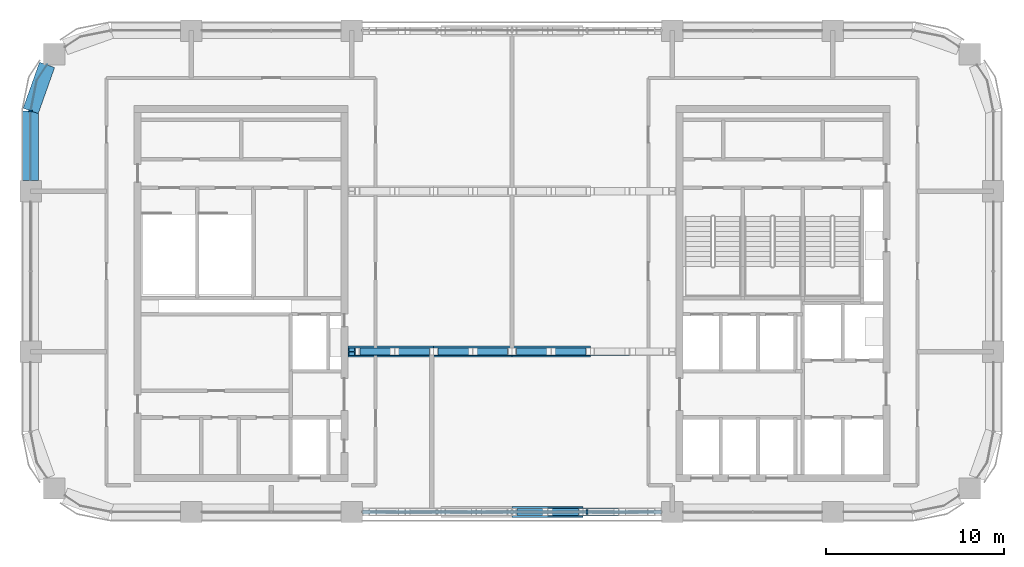
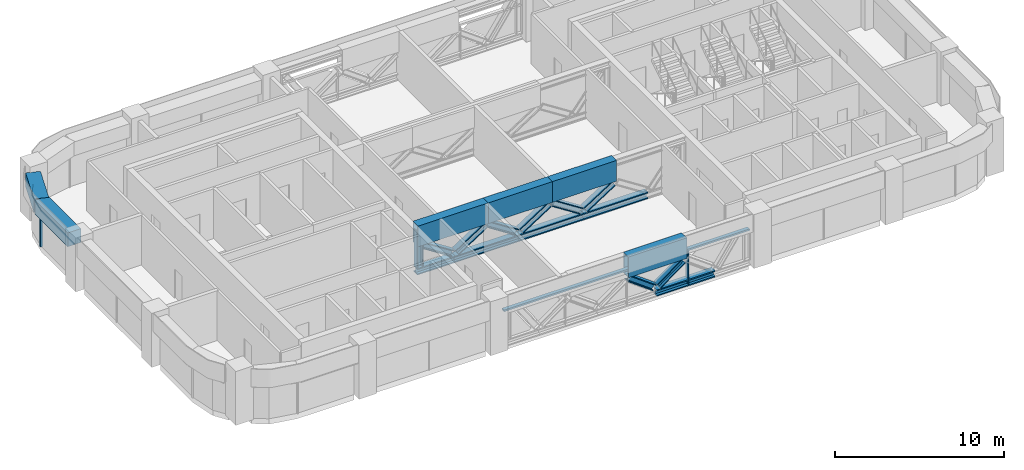
# One storey, part 3 of 12: 22 members, 2 beams, 2 elements without a shape of their own.
"""IFC4 building model written with IfcOpenShell, lengths in metres."""

from ifc_helpers import new_model, si_unit, direction, frame, origin, origin_2d, place, context, subcontext, project, spatial, polyline, rectangle, hollow_rectangle, i_section, outline, extrude, material, material_profile, profile_set, type_object, element, aggregate, save


model = new_model("IFC4")

# Units and contexts
model_context = context("Model", 3, precision=1e-05, world=origin(), true_north=direction((0.0, 1.0)))
body_context = subcontext(model_context, "Body", "Model", "MODEL_VIEW")
ifc_project = project(units=[si_unit("LENGTHUNIT", "METRE"), si_unit("AREAUNIT", "SQUARE_METRE"), si_unit("VOLUMEUNIT", "CUBIC_METRE"), si_unit("PLANEANGLEUNIT", "RADIAN"), si_unit("MASSUNIT", "GRAM", prefix="KILO")], contexts=[model_context])

# Site, building, storey
site_placement = place(None, origin())
site = spatial("IfcSite", under=ifc_project, at=site_placement, CompositionType="ELEMENT")
building_placement = place(site_placement, origin())
building = spatial("IfcBuilding", under=site, at=building_placement, Name="Tessera Arch", CompositionType="ELEMENT")
storey_placement = place(building_placement, frame((0.0, 0.0, 230.60009765625)))
storey = spatial("IfcBuildingStorey", under=building, at=storey_placement, Name="L55", CompositionType="ELEMENT", Elevation=230.60009765625)

# Members
ifc_material_1 = material(Name="Steel A572 Gr50", Category="steel")
ifc_material_profile_1 = material_profile(ifc_material_1, hollow_rectangle(XDim=0.60009765625, YDim=1.5, WallThickness=0.06005859375, at=origin_2d()), Name="BOX 600x1500x60")
ifc_profile_set_1 = profile_set([ifc_material_profile_1], Name="Steel A572 Gr50")
member_type_1 = type_object("IfcMemberType", Name="Bridge truss node girder BOX 600x1500x60", PredefinedType="CHORD", material=ifc_profile_set_1)
member_1_placement = place(storey_placement, frame((27.0, 27.0, 2.849853515625), z_axis=(1.0, 0.0, 0.0), x_axis=(0.0, 1.0, 0.0)))
element("IfcMember", 1, at=member_1_placement, inside=storey, type_object=member_type_1, Name="Bridge truss node girder 3", PredefinedType="CHORD", context=body_context, shape_type="SweptSolid", body=[
    extrude(hollow_rectangle(XDim=0.60009765625, YDim=1.5, WallThickness=0.06005859375, at=origin_2d()), origin(), (0.0, 0.0, 1.0), 3.99169921875),
])
member_2_placement = place(storey_placement, frame((17.800048828125, 36.0, 2.849853515625), z_axis=(1.0, 0.0, 0.0), x_axis=(0.0, 1.0, 0.0)))
element("IfcMember", 2, at=member_2_placement, inside=storey, type_object=member_type_1, Name="Bridge truss node girder 1", PredefinedType="CHORD", context=body_context, shape_type="SweptSolid", body=[
    extrude(hollow_rectangle(XDim=0.60009765625, YDim=1.5, WallThickness=0.06005859375, at=origin_2d()), origin(), (0.0, 0.0, 1.0), 4.808349609375),
])
for number, where, z_axis, x_axis, name in (
    (3, (22.6083984375, 36.0, 2.849853515625), (1.0, 0.0, 0.0), (0.0, 1.0, 0.0), "Bridge truss node girder 2"),
    (4, (27.0, 36.0, 2.849853515625), (1.0, 0.0, 0.0), (0.0, 1.0, 0.0), "Bridge truss node girder 3"),
):
    element("IfcMember", number, at=place(storey_placement, frame(where, z_axis=z_axis, x_axis=x_axis)), inside=storey, type_object=member_type_1, Name=name, PredefinedType="CHORD", context=body_context, shape_type="SweptSolid", body=[
        extrude(hollow_rectangle(XDim=0.60009765625, YDim=1.5, WallThickness=0.06005859375, at=origin_2d()), origin(), (0.0, 0.0, 1.0), 4.3916015625),
    ])

# Curtain wall, members
ifc_material_2 = material(Name="CW2 curtain wall")
curtain_wall_type_1 = type_object("IfcCurtainWallType", Name="CW2 curtain wall", PredefinedType="NOTDEFINED", material=ifc_material_2)
curtain_wall_1_placement = place(storey_placement, origin())
curtain_wall_1 = element("IfcCurtainWall", 5, at=curtain_wall_1_placement, inside=storey, type_object=curtain_wall_type_1, Name="CW2 curtain wall W0.27/0 L55", PredefinedType="NOTDEFINED")
ifc_material_3 = material(Name="Anodised aluminium pale metal", Category="aluminium")
ifc_material_profile_2 = material_profile(ifc_material_3, rectangle(XDim=0.199951171875, YDim=0.080078125, at=origin_2d()), Name="AL 80x200")
ifc_profile_set_2 = profile_set([ifc_material_profile_2], Name="Anodised aluminium pale metal")
member_type_2 = type_object("IfcMemberType", Name="CW2 mullion", PredefinedType="MULLION", material=ifc_profile_set_2)
member_3_placement = place(storey_placement, frame((0.0, 49.5, 0.0), z_axis=(0.0, 0.0, 1.0), x_axis=(1.0, 0.0, 0.0)))
member_3 = element("IfcMember", 6, at=member_3_placement, type_object=member_type_2, Name="CW2 mullion W0.27/0 1", PredefinedType="MULLION", context=body_context, shape_type="SweptSolid", body=[
    extrude(rectangle(XDim=0.199951171875, YDim=0.080078125, at=origin_2d()), origin(), (0.0, 0.0, 1.0), 2.5),
])
ifc_material_4 = material(Name="Anodised aluminium pale metal", Category="aluminium")
ifc_material_profile_3 = material_profile(ifc_material_4, rectangle(XDim=0.199951171875, YDim=0.10009765625, at=origin_2d()), Name="AL 200x100")
ifc_profile_set_3 = profile_set([ifc_material_profile_3], Name="Anodised aluminium pale metal")
member_type_3 = type_object("IfcMemberType", Name="CW2 transom", PredefinedType="USERDEFINED", material=ifc_profile_set_3)
member_4_placement = place(storey_placement, frame((0.0, 0.0, 2.5)))
member_4 = element("IfcMember", 7, at=member_4_placement, type_object=member_type_3, Name="CW2 transom W0.27/0 1", ObjectType="TRANSOM", PredefinedType="USERDEFINED", context=body_context, shape_type="SweptSolid", body=[
    extrude(outline(polyline([(0.351806640625, 51.21826171875), (0.92529296875, 52.076416015625), (0.90869140625, 52.087646484375), (0.3330078125, 51.22607421875), (-0.010009765625, 49.5009765625), (-0.010009765625, 45.60009765625), (0.010009765625, 45.60009765625), (0.010009765625, 49.4990234375), (0.351806640625, 51.21826171875)])), origin(), (0.0, 0.0, 1.0), 0.099853515625),
])
aggregate(curtain_wall_1, [member_3, member_4])

ifc_material_5 = material(Name="CW4 curtain wall")
curtain_wall_type_2 = type_object("IfcCurtainWallType", Name="CW4 curtain wall", PredefinedType="NOTDEFINED", material=ifc_material_5)
curtain_wall_2_placement = place(storey_placement, origin())
curtain_wall_2 = element("IfcCurtainWall", 8, at=curtain_wall_2_placement, inside=storey, type_object=curtain_wall_type_2, Name="CW4 curtain wall S27.0/2 L55", PredefinedType="NOTDEFINED")
ifc_material_6 = material(Name="Anodised aluminium pale metal", Category="aluminium")
ifc_material_profile_4 = material_profile(ifc_material_6, rectangle(XDim=0.25, YDim=0.080078125, at=origin_2d()), Name="AL 80x250")
ifc_profile_set_4 = profile_set([ifc_material_profile_4], Name="Anodised aluminium pale metal")
member_type_4 = type_object("IfcMemberType", Name="CW4 mullion", PredefinedType="MULLION", material=ifc_profile_set_4)
member_5_placement = place(storey_placement, frame((31.199951171875, 27.0, 0.0), z_axis=(0.0, 0.0, 1.0), x_axis=(0.0, 1.0, 0.0)))
member_5 = element("IfcMember", 9, at=member_5_placement, type_object=member_type_4, Name="CW4 mullion S27.0/2 3", PredefinedType="MULLION", context=body_context, shape_type="SweptSolid", body=[
    extrude(rectangle(XDim=0.25, YDim=0.080078125, at=origin_2d()), origin(), (0.0, 0.0, 1.0), 2.47998046875),
])
ifc_material_7 = material(Name="Anodised aluminium pale metal", Category="aluminium")
ifc_material_profile_5 = material_profile(ifc_material_7, rectangle(XDim=0.25, YDim=0.1201171875, at=origin_2d()), Name="AL 250x120")
ifc_profile_set_5 = profile_set([ifc_material_profile_5], Name="Anodised aluminium pale metal")
member_type_5 = type_object("IfcMemberType", Name="CW4 transom", PredefinedType="USERDEFINED", material=ifc_profile_set_5)
member_6_placement = place(storey_placement, frame((18.60009765625, 27.0, 2.539794921875), z_axis=(1.0, 0.0, 0.0), x_axis=(0.0, 1.0, 0.0)))
member_6 = element("IfcMember", 10, at=member_6_placement, type_object=member_type_5, Name="CW4 transom S27.0/2 1.1", ObjectType="TRANSOM", PredefinedType="USERDEFINED", context=body_context, shape_type="SweptSolid", body=[
    extrude(rectangle(XDim=0.25, YDim=0.1201171875, at=origin_2d()), origin(), (0.0, 0.0, 1.0), 16.7998046875),
])
aggregate(curtain_wall_2, [member_5, member_6])

# Beams
ifc_material_8 = material(Name="Concrete C60/75", Category="concrete")
ifc_material_profile_6 = material_profile(ifc_material_8, rectangle(XDim=0.89990234375, YDim=1.0, at=origin_2d()), Name="RC spandrel beam 900 x 1000 Concrete C60/75")
ifc_profile_set_6 = profile_set([ifc_material_profile_6], Name="Concrete C60/75")
beam_type = type_object("IfcBeamType", Name="RC spandrel beam 900 x 1000 Concrete C60/75", PredefinedType="BEAM", material=ifc_profile_set_6)
beam_1_placement = place(storey_placement, frame((0.9169921875, 52.08203125, 2.989990234375), z_axis=(-0.334665114373, -0.942337127159, 0.0), x_axis=(0.942337127159, -0.334665114373, 0.0)))
element("IfcBeam", 11, at=beam_1_placement, inside=storey, type_object=beam_type, Name="Spandrel beam L55 W0.27/0.1", PredefinedType="BEAM", context=body_context, shape_type="SweptSolid", body=[
    extrude(rectangle(XDim=0.89990234375, YDim=1.0, at=origin_2d()), origin(), (0.0, 0.0, 1.0), 2.739990234375),
])
beam_2_placement = place(storey_placement, frame((0.0, 49.5, 2.989990234375), z_axis=(0.0, -1.0, 0.0), x_axis=(1.0, 0.0, 0.0)))
element("IfcBeam", 12, at=beam_2_placement, inside=storey, type_object=beam_type, Name="Spandrel beam L55 W0.27/0.2", PredefinedType="BEAM", context=body_context, shape_type="SweptSolid", body=[
    extrude(rectangle(XDim=0.89990234375, YDim=1.0, at=origin_2d()), origin(), (0.0, 0.0, 1.0), 3.89990234375),
])

# Members
ifc_material_9 = material(Name="Steel A992 Gr50", Category="steel")
ifc_material_profile_7 = material_profile(ifc_material_9, i_section(OverallWidth=0.424072265625, OverallDepth=0.47412109375, WebThickness=0.047607421875, FlangeThickness=0.0771484375, at=origin_2d()), Name="W14x426")
ifc_profile_set_7 = profile_set([ifc_material_profile_7], Name="Steel A992 Gr50")
member_type_6 = type_object("IfcMemberType", Name="Truss chord W14x426", PredefinedType="CHORD", material=ifc_profile_set_7)
member_7_placement = place(storey_placement, frame((28.995849609375, 27.0, 0.237060546875), z_axis=(1.0, 0.0, 0.0), x_axis=(0.0, 1.0, 0.0)))
element("IfcMember", 13, at=member_7_placement, inside=storey, type_object=member_type_6, Name="Bridge truss bottom chord 4", PredefinedType="CHORD", context=body_context, shape_type="SweptSolid", body=[
    extrude(i_section(OverallWidth=0.424072265625, OverallDepth=0.47412109375, WebThickness=0.047607421875, FlangeThickness=0.0771484375, at=origin_2d()), origin(), (0.0, 0.0, 1.0), 3.99169921875),
])
member_8_placement = place(storey_placement, frame((17.800048828125, 36.0, 0.237060546875), z_axis=(1.0, 0.0, 0.0), x_axis=(0.0, 1.0, 0.0)))
element("IfcMember", 14, at=member_8_placement, inside=storey, type_object=member_type_6, Name="Bridge truss bottom chord 1", PredefinedType="CHORD", context=body_context, shape_type="SweptSolid", body=[
    extrude(i_section(OverallWidth=0.424072265625, OverallDepth=0.47412109375, WebThickness=0.047607421875, FlangeThickness=0.0771484375, at=origin_2d()), origin(), (0.0, 0.0, 1.0), 2.6123046875),
])
member_9_placement = place(storey_placement, frame((20.412353515625, 36.0, 0.237060546875), z_axis=(1.0, 0.0, 0.0), x_axis=(0.0, 1.0, 0.0)))
element("IfcMember", 15, at=member_9_placement, inside=storey, type_object=member_type_6, Name="Bridge truss bottom chord 2", PredefinedType="CHORD", context=body_context, shape_type="SweptSolid", body=[
    extrude(i_section(OverallWidth=0.424072265625, OverallDepth=0.47412109375, WebThickness=0.047607421875, FlangeThickness=0.0771484375, at=origin_2d()), origin(), (0.0, 0.0, 1.0), 4.391845703125),
])
member_10_placement = place(storey_placement, frame((24.80419921875, 36.0, 0.237060546875), z_axis=(1.0, 0.0, 0.0), x_axis=(0.0, 1.0, 0.0)))
element("IfcMember", 16, at=member_10_placement, inside=storey, type_object=member_type_6, Name="Bridge truss bottom chord 3", PredefinedType="CHORD", context=body_context, shape_type="SweptSolid", body=[
    extrude(i_section(OverallWidth=0.424072265625, OverallDepth=0.47412109375, WebThickness=0.047607421875, FlangeThickness=0.0771484375, at=origin_2d()), origin(), (0.0, 0.0, 1.0), 4.3916015625),
])
member_11_placement = place(storey_placement, frame((29.19580078125, 36.0, 0.237060546875), z_axis=(1.0, 0.0, 0.0), x_axis=(0.0, 1.0, 0.0)))
element("IfcMember", 17, at=member_11_placement, inside=storey, type_object=member_type_6, Name="Bridge truss bottom chord 4", PredefinedType="CHORD", context=body_context, shape_type="SweptSolid", body=[
    extrude(i_section(OverallWidth=0.424072265625, OverallDepth=0.47412109375, WebThickness=0.047607421875, FlangeThickness=0.0771484375, at=origin_2d()), origin(), (0.0, 0.0, 1.0), 4.391845703125),
])
ifc_material_10 = material(Name="Steel A992 Gr50", Category="steel")
ifc_material_profile_8 = material_profile(ifc_material_10, i_section(OverallWidth=0.411376953125, OverallDepth=0.434326171875, WebThickness=0.035888671875, FlangeThickness=0.057373046875, at=origin_2d()), Name="W14x311")
ifc_profile_set_8 = profile_set([ifc_material_profile_8], Name="Steel A992 Gr50")
member_type_7 = type_object("IfcMemberType", Name="Truss diagonal W14x311", PredefinedType="BRACE", material=ifc_profile_set_8)
for number, where, z_axis, x_axis, name in (
    (18, (27.14306640625, 27.0, 1.9140625), (0.80632445703, 0.0, -0.59147347362), (0.0, 1.0, 0.0), "Bridge truss diagonal 5"),
    (19, (29.138916015625, 27.0, 0.659912109375), (0.80632445703, 0.0, 0.59147347362), (0.0, 1.0, 0.0), "Bridge truss diagonal 6"),
):
    element("IfcMember", number, at=place(storey_placement, frame(where, z_axis=z_axis, x_axis=x_axis)), inside=storey, type_object=member_type_7, Name=name, PredefinedType="BRACE", context=body_context, shape_type="SweptSolid", body=[
        extrude(i_section(OverallWidth=0.411376953125, OverallDepth=0.434326171875, WebThickness=0.035888671875, FlangeThickness=0.057373046875, at=origin_2d()), origin(), (0.0, 0.0, 1.0), 2.120361328125),
    ])
member_12_placement = place(storey_placement, frame((18.34912109375, 36.0, 1.907470703125), z_axis=(0.841213035914, 0.0, -0.540703826701), x_axis=(0.0, 1.0, 0.0)))
element("IfcMember", 20, at=member_12_placement, inside=storey, type_object=member_type_7, Name="Bridge truss diagonal 1", PredefinedType="BRACE", context=body_context, shape_type="SweptSolid", body=[
    extrude(i_section(OverallWidth=0.411376953125, OverallDepth=0.434326171875, WebThickness=0.035888671875, FlangeThickness=0.057373046875, at=origin_2d()), origin(), (0.0, 0.0, 1.0), 2.295166015625),
])
for number, where, z_axis, x_axis, name in (
    (21, (20.544921875, 36.0, 0.66650390625), (0.841244131584, 0.0, 0.540655445801), (0.0, 1.0, 0.0), "Bridge truss diagonal 2"),
    (22, (22.74072265625, 36.0, 1.907470703125), (0.841244131584, 0.0, -0.540655445801), (0.0, 1.0, 0.0), "Bridge truss diagonal 3"),
):
    element("IfcMember", number, at=place(storey_placement, frame(where, z_axis=z_axis, x_axis=x_axis)), inside=storey, type_object=member_type_7, Name=name, PredefinedType="BRACE", context=body_context, shape_type="SweptSolid", body=[
        extrude(i_section(OverallWidth=0.411376953125, OverallDepth=0.434326171875, WebThickness=0.035888671875, FlangeThickness=0.057373046875, at=origin_2d()), origin(), (0.0, 0.0, 1.0), 2.29541015625),
    ])
for number, where, z_axis, x_axis, name in (
    (23, (24.936767578125, 36.0, 0.66650390625), (0.841213035914, 0.0, 0.540703826701), (0.0, 1.0, 0.0), "Bridge truss diagonal 4"),
    (24, (27.132568359375, 36.0, 1.907470703125), (0.841213035914, 0.0, -0.540703826701), (0.0, 1.0, 0.0), "Bridge truss diagonal 5"),
):
    element("IfcMember", number, at=place(storey_placement, frame(where, z_axis=z_axis, x_axis=x_axis)), inside=storey, type_object=member_type_7, Name=name, PredefinedType="BRACE", context=body_context, shape_type="SweptSolid", body=[
        extrude(i_section(OverallWidth=0.411376953125, OverallDepth=0.434326171875, WebThickness=0.035888671875, FlangeThickness=0.057373046875, at=origin_2d()), origin(), (0.0, 0.0, 1.0), 2.295166015625),
    ])
member_13_placement = place(storey_placement, frame((29.328369140625, 36.0, 0.66650390625), z_axis=(0.841244131584, 0.0, 0.540655445801), x_axis=(0.0, 1.0, 0.0)))
element("IfcMember", 25, at=member_13_placement, inside=storey, type_object=member_type_7, Name="Bridge truss diagonal 6", PredefinedType="BRACE", context=body_context, shape_type="SweptSolid", body=[
    extrude(i_section(OverallWidth=0.411376953125, OverallDepth=0.434326171875, WebThickness=0.035888671875, FlangeThickness=0.057373046875, at=origin_2d()), origin(), (0.0, 0.0, 1.0), 2.29541015625),
])
ifc_material_11 = material(Name="Steel A992 Gr50", Category="steel")
ifc_material_profile_9 = material_profile(ifc_material_11, i_section(OverallWidth=0.406494140625, OverallDepth=0.41650390625, WebThickness=0.030029296875, FlangeThickness=0.048095703125, at=origin_2d()), Name="W14x257")
ifc_profile_set_9 = profile_set([ifc_material_profile_9], Name="Steel A992 Gr50")
member_type_8 = type_object("IfcMemberType", Name="Truss post W14x257", PredefinedType="POST", material=ifc_profile_set_9)
member_14_placement = place(storey_placement, frame((18.00830078125, 36.0, 0.47412109375), z_axis=(0.0, 0.0, 1.0), x_axis=(0.0, 1.0, 0.0)))
element("IfcMember", 26, at=member_14_placement, inside=storey, type_object=member_type_8, Name="Bridge truss end post 1", PredefinedType="POST", context=body_context, shape_type="SweptSolid", body=[
    extrude(i_section(OverallWidth=0.406494140625, OverallDepth=0.41650390625, WebThickness=0.030029296875, FlangeThickness=0.048095703125, at=origin_2d()), origin(), (0.0, 0.0, 1.0), 2.651611328125),
])

save(model, "model.ifc")
